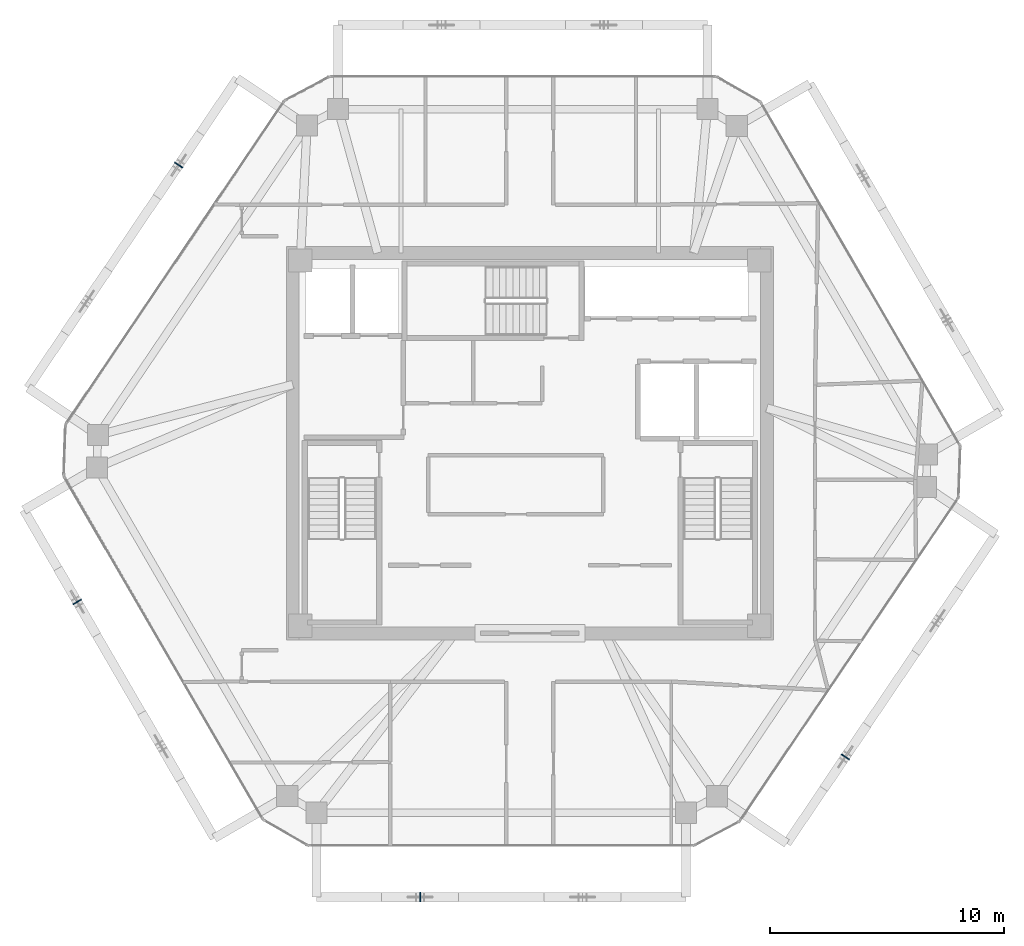
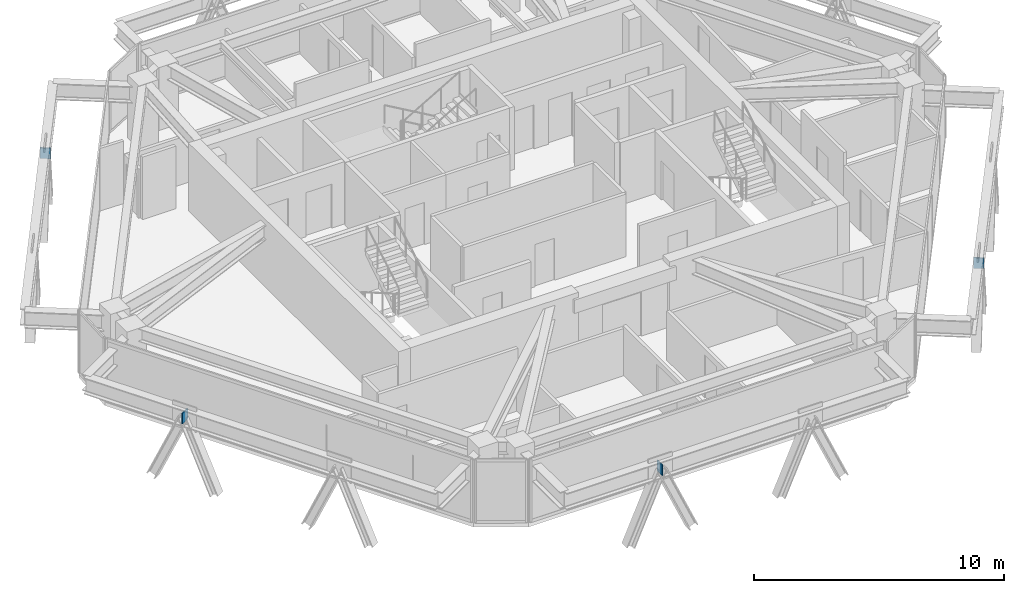
# One storey, part 8 of 13: 4 plates.
"""IFC4 building model written with IfcOpenShell, lengths in metres."""

from ifc_helpers import new_model, si_unit, direction, frame, origin, origin_2d, place, context, subcontext, project, spatial, rectangle, extrude, source, transform, mapped, material, layer, layer_set, type_object, type_shapes, element, save


model = new_model("IFC4")

# Units and contexts
model_context = context("Model", 3, precision=1e-05, world=origin(), true_north=direction((0.0, 1.0)))
body_context = subcontext(model_context, "Body", "Model", "MODEL_VIEW")
ifc_project = project(units=[si_unit("LENGTHUNIT", "METRE"), si_unit("AREAUNIT", "SQUARE_METRE"), si_unit("VOLUMEUNIT", "CUBIC_METRE"), si_unit("PLANEANGLEUNIT", "RADIAN"), si_unit("MASSUNIT", "GRAM", prefix="KILO")], contexts=[model_context])

# Site, building, storey
site_placement = place(None, origin())
site = spatial("IfcSite", under=ifc_project, at=site_placement, CompositionType="ELEMENT")
building_placement = place(site_placement, origin())
building = spatial("IfcBuilding", under=site, at=building_placement, Name="Durnholm Broadcast Tower", CompositionType="ELEMENT")
storey_placement = place(building_placement, frame((0.0, 0.0, 241.39990234375)))
storey = spatial("IfcBuildingStorey", under=building, at=storey_placement, Name="L67", CompositionType="ELEMENT", Elevation=241.39990234375)

# Plates
ifc_material = material(Name="Steel ASTM A572 Grade 50", Category="steel")
ifc_layer = layer(ifc_material, 0.044921875)
ifc_layer_set = layer_set([ifc_layer], Name="Steel ASTM A572 Grade 50")
plate_type = type_object("IfcPlateType", Name="PLT-KN-STIF", PredefinedType="SHEET", material=ifc_layer_set)
shared_shape = source(origin(), body_context, "Body", "SweptSolid", [
    extrude(rectangle(XDim=0.044921875, YDim=0.419921875, at=origin_2d()), origin(), (0.0, 0.0, 1.0), 0.52001953125),
])
type_shapes(plate_type, [shared_shape])
for number, where, z_axis, x_axis, name in (
    (1, (-4.688720703125, -19.385986328125, 2.048583984375), (0.0, 0.0, 1.0), (1.0, 0.0, 0.0), "L67 welded diagrid node stiffener plate F1"),
    (2, (13.47412109375, -13.398193359375, 2.048583984375), (0.0, 0.0, 1.0), (0.560060762816, 0.828451532652, 0.0), "L67 welded diagrid node stiffener plate F2"),
    (3, (-14.998046875, 11.874267578125, 2.048583984375), (0.0, 0.0, 1.0), (-0.560060762816, -0.828451532652, 0.0), "L67 welded diagrid node stiffener plate F5"),
    (4, (-19.330810546875, -6.77880859375, 2.048583984375), (0.0, 0.0, 1.0), (0.501963660617, -0.864888711581, 0.0), "L67 welded diagrid node stiffener plate F6"),
):
    element("IfcPlate", number, at=place(storey_placement, frame(where, z_axis=z_axis, x_axis=x_axis)), inside=storey, type_object=plate_type, Name=name, PredefinedType="SHEET", context=body_context, shape_type="MappedRepresentation", body=[
        mapped(shared_shape, transform((0.0, 0.0, 0.0), x_axis=(1.0, 0.0, 0.0), y_axis=(0.0, 1.0, 0.0), z_axis=(0.0, 0.0, 1.0), scale=1.0)),
    ])

save(model, "model.ifc")
